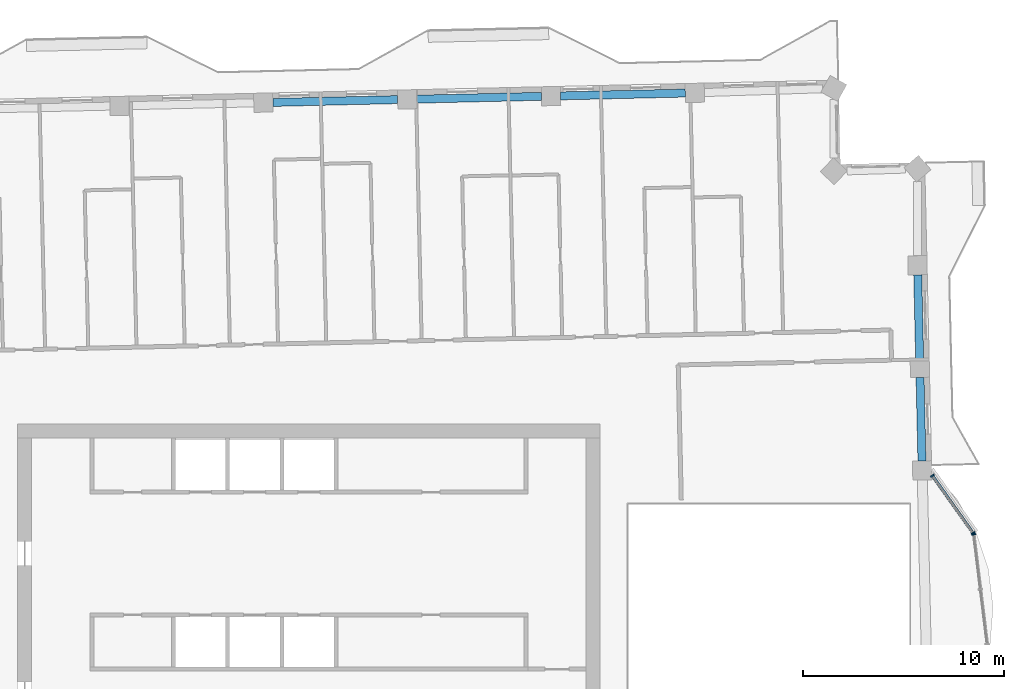
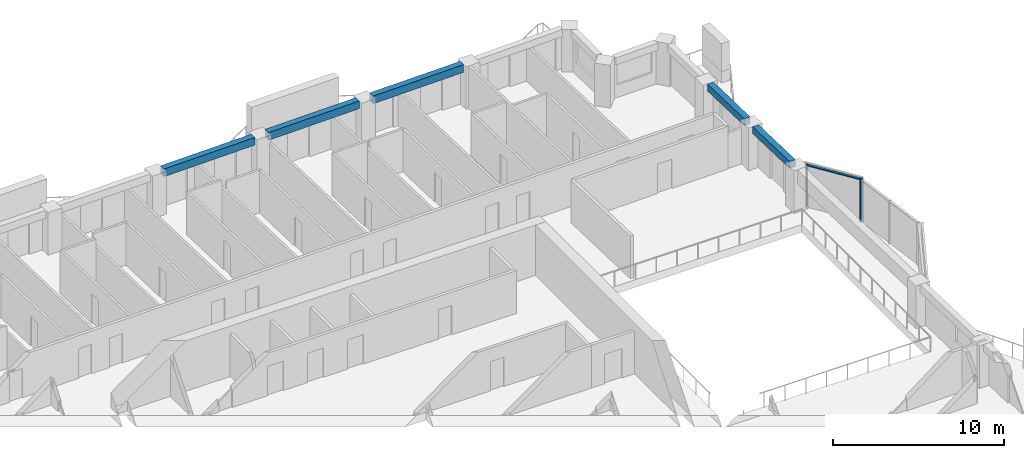
# One storey, part 4 of 19: 5 beams, 4 members, 2 elements without a shape of their own.
"""IFC4 building model written with IfcOpenShell, lengths in metres."""

import ifcopenshell
import ifcopenshell.guid

model = None  # the IFC model being written
_history = None  # IfcOwnerHistory: only IFC2X3 demands one
_inside = {}  # id of a spatial element -> (the spatial element, [elements in it])
_under = {}  # id of a project, library or spatial element -> (it, [spatial elements below it])
_declared = {}  # id of a project -> (the project, [libraries it declares])
_typed = {}  # id of a type object -> (the type object, [elements of that type])
_made_of = {}  # id of a material, layer set ... -> (it, [elements and type objects made of it])


def new_model(schema):
    """Start an empty IFC model of exactly this schema.

    Asked for "IFC4X3", IfcOpenShell would pick the latest addendum, in which some entities
    have other attributes; the version numbers below select the first issue.
    IFC2X3 requires an IfcOwnerHistory on every rooted entity: one is made here for all.
    """
    global model, _history
    if schema == "IFC4X3":
        model = ifcopenshell.file(schema_version=(4, 3, 0, 0))
    else:
        model = ifcopenshell.file(schema=schema)
    _inside.clear()
    _under.clear()
    _declared.clear()
    _typed.clear()
    _made_of.clear()
    _history = None
    if model.schema == "IFC2X3":
        org = make("IfcOrganization", Name="unknown")
        user = make(
            "IfcPersonAndOrganization",
            ThePerson=make("IfcPerson", FamilyName="unknown"),
            TheOrganization=org,
        )
        app = make(
            "IfcApplication",
            ApplicationDeveloper=org,
            Version="unknown",
            ApplicationFullName="unknown",
            ApplicationIdentifier="unknown",
        )
        _history = make(
            "IfcOwnerHistory",
            OwningUser=user,
            OwningApplication=app,
            ChangeAction="ADDED",
            CreationDate=0,
        )
    return model


def make(cls, **values):
    """One entity of the class cls with the attributes given. An attribute that is None is left unset."""
    return model.create_entity(
        cls, **{name: value for name, value in values.items() if value is not None}
    )


def rooted(cls, **values):
    """An entity with a GlobalId (a new one), such as an element, a storey or a relation."""
    return make(cls, GlobalId=ifcopenshell.guid.new(), OwnerHistory=_history, **values)


def si_unit(unit_type, name, prefix=None):
    """IfcSIUnit, for example si_unit("LENGTHUNIT", "METRE", prefix="MILLI")."""
    return make("IfcSIUnit", UnitType=unit_type, Prefix=prefix, Name=name)


def assignment(units):
    """IfcUnitAssignment: the units of a project."""
    return None if units is None else make("IfcUnitAssignment", Units=units)


def point(xyz):
    """IfcCartesianPoint."""
    return None if xyz is None else make("IfcCartesianPoint", Coordinates=xyz)


def direction(xyz):
    """IfcDirection."""
    return None if xyz is None else make("IfcDirection", DirectionRatios=xyz)


def frame(location, z_axis=None, x_axis=None):
    """IfcAxis2Placement3D, a coordinate frame: its origin and axes. An axis left out is left unset."""
    return make(
        "IfcAxis2Placement3D",
        Location=point(location),
        Axis=direction(z_axis),
        RefDirection=direction(x_axis),
    )


def frame_2d(location, x_axis=None):
    """IfcAxis2Placement2D, a coordinate frame in the plane: its origin and x axis."""
    return make(
        "IfcAxis2Placement2D", Location=point(location), RefDirection=direction(x_axis)
    )


def origin():
    """The frame at (0, 0, 0) with its axes left unset."""
    return frame((0.0, 0.0, 0.0))


def origin_2d():
    """The frame at (0, 0) in the plane with its x axis left unset."""
    return frame_2d((0.0, 0.0))


def place(relative_to, where):
    """IfcLocalPlacement: puts the frame where relative to a parent placement (None: the world)."""
    return make(
        "IfcLocalPlacement", PlacementRelTo=relative_to, RelativePlacement=where
    )


def context(
    kind, dimensions, precision=None, world=None, true_north=None, identifier=None
):
    """IfcGeometricRepresentationContext, for example the 3D "Model" context."""
    return make(
        "IfcGeometricRepresentationContext",
        ContextIdentifier=identifier,
        ContextType=kind,
        CoordinateSpaceDimension=dimensions,
        Precision=precision,
        WorldCoordinateSystem=world,
        TrueNorth=true_north,
    )


def subcontext(parent, identifier, kind, view, scale=None):
    """IfcGeometricRepresentationSubContext, for example "Body" below "Model"."""
    return make(
        "IfcGeometricRepresentationSubContext",
        ContextIdentifier=identifier,
        ContextType=kind,
        ParentContext=parent,
        TargetScale=scale,
        TargetView=view,
    )


def project(units=None, contexts=None):
    """IfcProject with its units and contexts."""
    return rooted(
        "IfcProject",
        Name="project",
        RepresentationContexts=contexts,
        UnitsInContext=assignment(units),
    )


def spatial(cls, under=None, at=None, **own):
    """A site, building, storey or space (cls), placed at a placement, below another one or the project."""
    s = rooted(cls, ObjectPlacement=at, **own)
    if under is not None:
        _under.setdefault(under.id(), (under, []))[1].append(s)
    return s


def profile(cls, at=None, kind="AREA", **sizes):
    """A parametric profile (cls). Its sizes go by their IFC names, for example OverallWidth=200.0."""
    return make(cls, ProfileType=kind, Position=at, **sizes)


def rectangle(**sizes):
    """IfcRectangleProfileDef."""
    return profile("IfcRectangleProfileDef", **sizes)


def extrude(swept, where, along, depth):
    """IfcExtrudedAreaSolid: the profile swept, set in the frame where, extruded along a direction by depth."""
    return make(
        "IfcExtrudedAreaSolid",
        SweptArea=swept,
        Position=where,
        ExtrudedDirection=direction(along),
        Depth=depth,
    )


def shape(context_of_items, identifier, shape_type, items):
    """IfcShapeRepresentation: the items that make up one representation, for example the "Body"."""
    return make(
        "IfcShapeRepresentation",
        ContextOfItems=context_of_items,
        RepresentationIdentifier=identifier,
        RepresentationType=shape_type,
        Items=items,
    )


def material(Name=None, Category=None):
    """IfcMaterial."""
    return make("IfcMaterial", Name=Name, Category=Category)


def material_profile(
    of_material, cross_section, Name=None, Category=None, Priority=None
):
    """IfcMaterialProfile: a cross section and its material."""
    return make(
        "IfcMaterialProfile",
        Name=Name,
        Material=of_material,
        Profile=cross_section,
        Priority=Priority,
        Category=Category,
    )


def profile_set(profiles, Name=None, composite=None):
    """IfcMaterialProfileSet."""
    return make(
        "IfcMaterialProfileSet",
        Name=Name,
        MaterialProfiles=profiles,
        CompositeProfile=composite,
    )


def made_of(thing, what):
    """Note that an element or type object is made of a material, layer set ...; save() writes the relation."""
    if what is not None:
        _made_of.setdefault(what.id(), (what, []))[1].append(thing)
    return thing


def type_object(cls, material=None, **own):
    """A type object (cls), such as IfcWallType, which elements share."""
    return made_of(rooted(cls, **own), material)


def element(
    cls,
    number,
    at=None,
    inside=None,
    cuts=None,
    type_object=None,
    material=None,
    context=None,
    identifier="Body",
    shape_type=None,
    held_by="IfcProductDefinitionShape",
    body=None,
    shapes=None,
    **own,
):
    """One element of the class cls, such as IfcWall. Its Tag is "e" and its number.

    at: its placement. inside: the storey or other place that contains it. cuts: it is an
    opening in that element (IfcRelVoidsElement). A single representation is given by context,
    identifier, shape_type and body (its items); several are given by shapes. held_by: the class
    of the entity that holds the representations. save() writes the other relations.
    """
    e = rooted(cls, Tag="e%d" % number, ObjectPlacement=at, **own)
    if body is not None:
        shapes = [shape(context, identifier, shape_type, body)]
    if shapes is not None:
        e.Representation = make(held_by, Representations=shapes)
    if inside is not None:
        _inside.setdefault(inside.id(), (inside, []))[1].append(e)
    if cuts is not None:
        rooted(
            "IfcRelVoidsElement", RelatingBuildingElement=cuts, RelatedOpeningElement=e
        )
    if type_object is not None:
        _typed.setdefault(type_object.id(), (type_object, []))[1].append(e)
    return made_of(e, material)


def aggregate(whole, parts):
    """IfcRelAggregates: a whole, such as a stair, and the parts it consists of."""
    return rooted("IfcRelAggregates", RelatingObject=whole, RelatedObjects=parts)


def save(model, path):
    """Write the relations noted so far, then the file.

    IfcRelAggregates (storeys below a building ...), IfcRelContainedInSpatialStructure (elements
    in a storey), IfcRelDefinesByType, IfcRelAssociatesMaterial and IfcRelDeclares: one each for
    every whole, place, type object, material and project.
    """
    for whole, parts in _under.values():
        aggregate(whole, parts)
    for where, things in _inside.values():
        rooted(
            "IfcRelContainedInSpatialStructure",
            RelatedElements=things,
            RelatingStructure=where,
        )
    for kind, things in _typed.values():
        rooted("IfcRelDefinesByType", RelatedObjects=things, RelatingType=kind)
    for what, things in _made_of.values():
        rooted("IfcRelAssociatesMaterial", RelatedObjects=things, RelatingMaterial=what)
    for by, libraries in _declared.values():
        rooted("IfcRelDeclares", RelatingContext=by, RelatedDefinitions=libraries)
    model.write(path)


model = new_model("IFC4")

# Units and contexts
model_context = context("Model", 3, precision=1e-05, world=origin(), true_north=direction((0.0, 1.0)))
body_context = subcontext(model_context, "Body", "Model", "MODEL_VIEW")
ifc_project = project(units=[si_unit("LENGTHUNIT", "METRE"), si_unit("AREAUNIT", "SQUARE_METRE"), si_unit("VOLUMEUNIT", "CUBIC_METRE"), si_unit("PLANEANGLEUNIT", "RADIAN"), si_unit("MASSUNIT", "GRAM", prefix="KILO")], contexts=[model_context])

# Site, building, storey
site_placement = place(None, origin())
site = spatial("IfcSite", under=ifc_project, at=site_placement, CompositionType="ELEMENT")
building_placement = place(site_placement, origin())
building = spatial("IfcBuilding", under=site, at=building_placement, Name="Mangrove Gate Tower", CompositionType="ELEMENT")
storey_placement = place(building_placement, frame((0.0, 0.0, 283.5)))
storey = spatial("IfcBuildingStorey", under=building, at=storey_placement, Name="L72", CompositionType="ELEMENT", Elevation=283.5)

# Curtain wall, member
ifc_material_1 = material(Name="Aluminium and glass curtain wall", Category="aluminium")
curtain_wall_type = type_object("IfcCurtainWallType", Name="Atrium garden-court glazing wall", PredefinedType="NOTDEFINED", material=ifc_material_1)
curtain_wall_1_placement = place(storey_placement, origin())
curtain_wall_1 = element("IfcCurtainWall", 1, at=curtain_wall_1_placement, inside=storey, type_object=curtain_wall_type, Name="Atrium garden-court glazing E1f2", PredefinedType="NOTDEFINED")
ifc_material_2 = material(Name="Aluminium alloy 6063-T6", Category="aluminium")
ifc_material_profile_1 = material_profile(ifc_material_2, rectangle(XDim=0.070068359375, YDim=0.199951171875, at=origin_2d()))
ifc_profile_set_1 = profile_set([ifc_material_profile_1], Name="Aluminium alloy 6063-T6")
member_type_1 = type_object("IfcMemberType", Name="Atrium garden-court glazing mullion 70x200", PredefinedType="MULLION", material=ifc_profile_set_1)
member_1_placement = place(storey_placement, frame((33.087158203125, 6.0029296875, 0.0), z_axis=(0.0, 0.0, 1.0), x_axis=(-0.122172285885, 0.992508908051, 0.0)))
member_1 = element("IfcMember", 2, at=member_1_placement, type_object=member_type_1, Name="CWA mullion 3", PredefinedType="MULLION", context=body_context, shape_type="SweptSolid", body=[
    extrude(rectangle(XDim=0.070068359375, YDim=0.199951171875, at=origin_2d()), origin(), (0.0, 0.0, 1.0), 3.050048828125),
])
aggregate(curtain_wall_1, [member_1])

# Curtain wall, members
curtain_wall_2_placement = place(storey_placement, origin())
curtain_wall_2 = element("IfcCurtainWall", 3, at=curtain_wall_2_placement, inside=storey, type_object=curtain_wall_type, Name="Atrium garden-court glazing E1f3", PredefinedType="NOTDEFINED")
member_2_placement = place(storey_placement, frame((33.062744140625, 6.06640625, 0.0), z_axis=(0.0, 0.0, 1.0), x_axis=(-0.578135022674, 0.815941110349, 0.0)))
member_2 = element("IfcMember", 4, at=member_2_placement, type_object=member_type_1, Name="CWA mullion 1", PredefinedType="MULLION", context=body_context, shape_type="SweptSolid", body=[
    extrude(rectangle(XDim=0.070068359375, YDim=0.199951171875, at=origin_2d()), origin(), (0.0, 0.0, 1.0), 3.050048828125),
])
member_3_placement = place(storey_placement, frame((31.039794921875, 8.92138671875, 0.0), z_axis=(0.0, 0.0, 1.0), x_axis=(-0.578135022674, 0.815941110349, 0.0)))
member_3 = element("IfcMember", 5, at=member_3_placement, type_object=member_type_1, Name="CWA mullion 2", PredefinedType="MULLION", context=body_context, shape_type="SweptSolid", body=[
    extrude(rectangle(XDim=0.070068359375, YDim=0.199951171875, at=origin_2d()), origin(), (0.0, 0.0, 1.0), 3.050048828125),
])
ifc_material_3 = material(Name="Aluminium alloy 6063-T6", Category="aluminium")
ifc_material_profile_2 = material_profile(ifc_material_3, rectangle(XDim=0.070068359375, YDim=0.14990234375, at=origin_2d()))
ifc_profile_set_2 = profile_set([ifc_material_profile_2], Name="Aluminium alloy 6063-T6")
member_type_2 = type_object("IfcMemberType", Name="Atrium garden-court glazing transom 70x150", PredefinedType="USERDEFINED", material=ifc_profile_set_2)
member_4_placement = place(storey_placement, frame((33.04248046875, 6.094970703125, 3.014892578125), z_axis=(-0.578135862494, 0.815940515294, 0.0), x_axis=(0.0, 0.0, 1.0)))
member_4 = element("IfcMember", 6, at=member_4_placement, type_object=member_type_2, Name="CWA transom 1.2", ObjectType="TRANSOM", PredefinedType="USERDEFINED", context=body_context, shape_type="SweptSolid", body=[
    extrude(rectangle(XDim=0.070068359375, YDim=0.14990234375, at=origin_2d()), origin(), (0.0, 0.0, 1.0), 3.428955078125),
])
aggregate(curtain_wall_2, [member_2, member_3, member_4])

# Beams
ifc_material_4 = material(Name="Concrete C50/60", Category="concrete")
ifc_material_profile_3 = material_profile(ifc_material_4, rectangle(XDim=0.39990234375, YDim=0.5, at=origin_2d()))
ifc_profile_set_3 = profile_set([ifc_material_profile_3], Name="Concrete C50/60")
beam_type_1 = type_object("IfcBeamType", Name="Edge beam RC 400x500 C50/60", PredefinedType="BEAM", material=ifc_profile_set_3)
for number, where, z_axis, x_axis, name in (
    (7, (30.518310546875, 9.658203125, 2.800048828125), (-0.022486678156, 0.999747142684, 0.0), (-0.999747142684, -0.022486678156, 0.0), "Edge beam L72 17"),
    (8, (30.4033203125, 14.76513671875, 2.800048828125), (-0.022721405353, 0.999741835545, 0.0), (-0.999741835545, -0.022721405353, 0.0), "Edge beam L72 18"),
):
    element("IfcBeam", number, at=place(storey_placement, frame(where, z_axis=z_axis, x_axis=x_axis)), inside=storey, type_object=beam_type_1, Name=name, PredefinedType="BEAM", context=body_context, shape_type="SweptSolid", body=[
        extrude(rectangle(XDim=0.39990234375, YDim=0.5, at=origin_2d()), origin(), (0.0, 0.0, 1.0), 4.158203125),
    ])
ifc_material_5 = material(Name="Concrete C50/60", Category="concrete")
ifc_material_profile_4 = material_profile(ifc_material_5, rectangle(XDim=0.39990234375, YDim=0.550048828125, at=origin_2d()))
ifc_profile_set_4 = profile_set([ifc_material_profile_4], Name="Concrete C50/60")
beam_type_2 = type_object("IfcBeamType", Name="Edge beam RC 400x550 C50/60", PredefinedType="BEAM", material=ifc_profile_set_4)
beam_1_placement = place(storey_placement, frame((18.73779296875, 27.970458984375, 2.77490234375), z_axis=(-0.999743719116, -0.022638376468, 0.0), x_axis=(0.022638376468, -0.999743719116, 0.0)))
element("IfcBeam", 9, at=beam_1_placement, inside=storey, type_object=beam_type_2, Name="Edge beam L72 23", PredefinedType="BEAM", context=body_context, shape_type="SweptSolid", body=[
    extrude(rectangle(XDim=0.39990234375, YDim=0.550048828125, at=origin_2d()), origin(), (0.0, 0.0, 1.0), 6.2119140625),
])
beam_2_placement = place(storey_placement, frame((11.577880859375, 27.808349609375, 2.77490234375), z_axis=(-0.999741125002, -0.022752647749, 0.0), x_axis=(0.022752647749, -0.999741125002, 0.0)))
element("IfcBeam", 10, at=beam_2_placement, inside=storey, type_object=beam_type_2, Name="Edge beam L72 24", PredefinedType="BEAM", context=body_context, shape_type="SweptSolid", body=[
    extrude(rectangle(XDim=0.39990234375, YDim=0.550048828125, at=origin_2d()), origin(), (0.0, 0.0, 1.0), 6.212890625),
])
beam_3_placement = place(storey_placement, frame((4.4169921875, 27.645263671875, 2.77490234375), z_axis=(-0.999744627938, -0.022598205876, 0.0), x_axis=(0.022598205876, -0.999744627938, 0.0)))
element("IfcBeam", 11, at=beam_3_placement, inside=storey, type_object=beam_type_2, Name="Edge beam L72 25", PredefinedType="BEAM", context=body_context, shape_type="SweptSolid", body=[
    extrude(rectangle(XDim=0.39990234375, YDim=0.550048828125, at=origin_2d()), origin(), (0.0, 0.0, 1.0), 6.2119140625),
])

save(model, "model.ifc")
